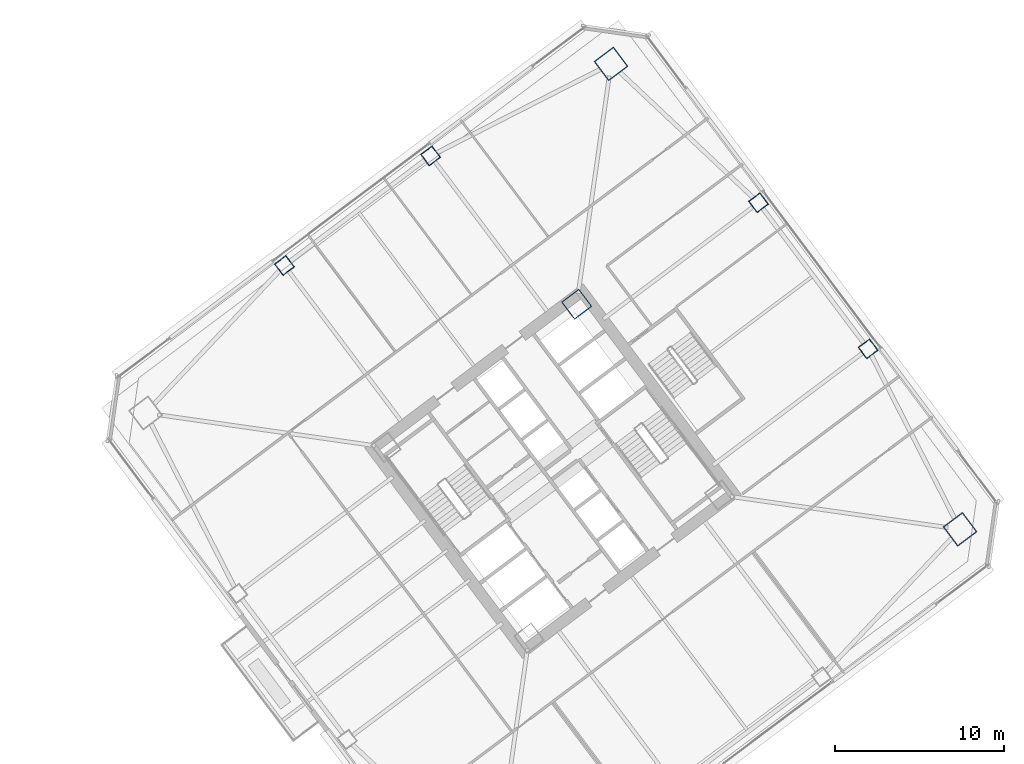
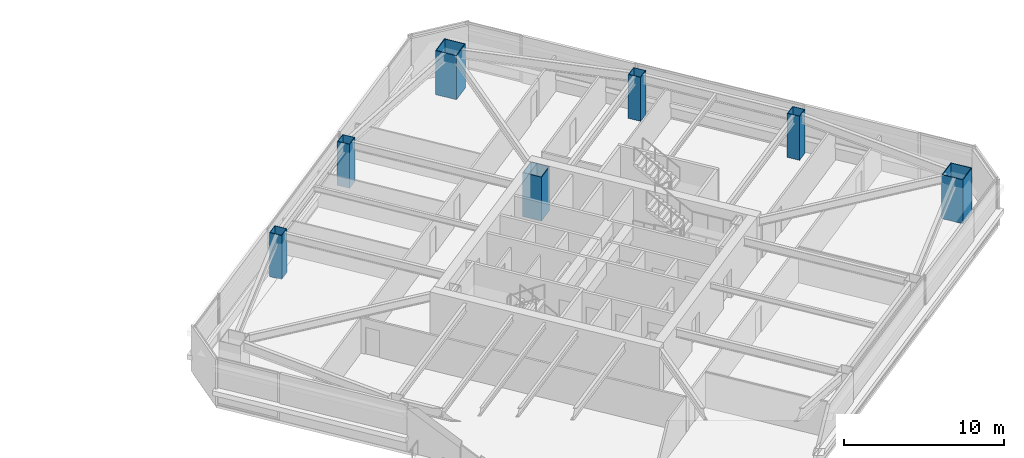
# One storey, part 2 of 44: 7 columns.
"""IFC4 building model written with IfcOpenShell, lengths in metres."""

import ifcopenshell
import ifcopenshell.guid

model = None  # the IFC model being written
_history = None  # IfcOwnerHistory: only IFC2X3 demands one
_inside = {}  # id of a spatial element -> (the spatial element, [elements in it])
_under = {}  # id of a project, library or spatial element -> (it, [spatial elements below it])
_declared = {}  # id of a project -> (the project, [libraries it declares])
_typed = {}  # id of a type object -> (the type object, [elements of that type])
_made_of = {}  # id of a material, layer set ... -> (it, [elements and type objects made of it])


def new_model(schema):
    """Start an empty IFC model of exactly this schema.

    Asked for "IFC4X3", IfcOpenShell would pick the latest addendum, in which some entities
    have other attributes; the version numbers below select the first issue.
    IFC2X3 requires an IfcOwnerHistory on every rooted entity: one is made here for all.
    """
    global model, _history
    if schema == "IFC4X3":
        model = ifcopenshell.file(schema_version=(4, 3, 0, 0))
    else:
        model = ifcopenshell.file(schema=schema)
    _inside.clear()
    _under.clear()
    _declared.clear()
    _typed.clear()
    _made_of.clear()
    _history = None
    if model.schema == "IFC2X3":
        org = make("IfcOrganization", Name="unknown")
        user = make(
            "IfcPersonAndOrganization",
            ThePerson=make("IfcPerson", FamilyName="unknown"),
            TheOrganization=org,
        )
        app = make(
            "IfcApplication",
            ApplicationDeveloper=org,
            Version="unknown",
            ApplicationFullName="unknown",
            ApplicationIdentifier="unknown",
        )
        _history = make(
            "IfcOwnerHistory",
            OwningUser=user,
            OwningApplication=app,
            ChangeAction="ADDED",
            CreationDate=0,
        )
    return model


def make(cls, **values):
    """One entity of the class cls with the attributes given. An attribute that is None is left unset."""
    return model.create_entity(
        cls, **{name: value for name, value in values.items() if value is not None}
    )


def rooted(cls, **values):
    """An entity with a GlobalId (a new one), such as an element, a storey or a relation."""
    return make(cls, GlobalId=ifcopenshell.guid.new(), OwnerHistory=_history, **values)


def si_unit(unit_type, name, prefix=None):
    """IfcSIUnit, for example si_unit("LENGTHUNIT", "METRE", prefix="MILLI")."""
    return make("IfcSIUnit", UnitType=unit_type, Prefix=prefix, Name=name)


def assignment(units):
    """IfcUnitAssignment: the units of a project."""
    return None if units is None else make("IfcUnitAssignment", Units=units)


def point(xyz):
    """IfcCartesianPoint."""
    return None if xyz is None else make("IfcCartesianPoint", Coordinates=xyz)


def direction(xyz):
    """IfcDirection."""
    return None if xyz is None else make("IfcDirection", DirectionRatios=xyz)


def frame(location, z_axis=None, x_axis=None):
    """IfcAxis2Placement3D, a coordinate frame: its origin and axes. An axis left out is left unset."""
    return make(
        "IfcAxis2Placement3D",
        Location=point(location),
        Axis=direction(z_axis),
        RefDirection=direction(x_axis),
    )


def frame_2d(location, x_axis=None):
    """IfcAxis2Placement2D, a coordinate frame in the plane: its origin and x axis."""
    return make(
        "IfcAxis2Placement2D", Location=point(location), RefDirection=direction(x_axis)
    )


def origin():
    """The frame at (0, 0, 0) with its axes left unset."""
    return frame((0.0, 0.0, 0.0))


def origin_2d():
    """The frame at (0, 0) in the plane with its x axis left unset."""
    return frame_2d((0.0, 0.0))


def place(relative_to, where):
    """IfcLocalPlacement: puts the frame where relative to a parent placement (None: the world)."""
    return make(
        "IfcLocalPlacement", PlacementRelTo=relative_to, RelativePlacement=where
    )


def context(
    kind, dimensions, precision=None, world=None, true_north=None, identifier=None
):
    """IfcGeometricRepresentationContext, for example the 3D "Model" context."""
    return make(
        "IfcGeometricRepresentationContext",
        ContextIdentifier=identifier,
        ContextType=kind,
        CoordinateSpaceDimension=dimensions,
        Precision=precision,
        WorldCoordinateSystem=world,
        TrueNorth=true_north,
    )


def subcontext(parent, identifier, kind, view, scale=None):
    """IfcGeometricRepresentationSubContext, for example "Body" below "Model"."""
    return make(
        "IfcGeometricRepresentationSubContext",
        ContextIdentifier=identifier,
        ContextType=kind,
        ParentContext=parent,
        TargetScale=scale,
        TargetView=view,
    )


def project(units=None, contexts=None):
    """IfcProject with its units and contexts."""
    return rooted(
        "IfcProject",
        Name="project",
        RepresentationContexts=contexts,
        UnitsInContext=assignment(units),
    )


def spatial(cls, under=None, at=None, **own):
    """A site, building, storey or space (cls), placed at a placement, below another one or the project."""
    s = rooted(cls, ObjectPlacement=at, **own)
    if under is not None:
        _under.setdefault(under.id(), (under, []))[1].append(s)
    return s


def profile(cls, at=None, kind="AREA", **sizes):
    """A parametric profile (cls). Its sizes go by their IFC names, for example OverallWidth=200.0."""
    return make(cls, ProfileType=kind, Position=at, **sizes)


def hollow_rectangle(**sizes):
    """IfcRectangleHollowProfileDef."""
    return profile("IfcRectangleHollowProfileDef", **sizes)


def extrude(swept, where, along, depth):
    """IfcExtrudedAreaSolid: the profile swept, set in the frame where, extruded along a direction by depth."""
    return make(
        "IfcExtrudedAreaSolid",
        SweptArea=swept,
        Position=where,
        ExtrudedDirection=direction(along),
        Depth=depth,
    )


def shape(context_of_items, identifier, shape_type, items):
    """IfcShapeRepresentation: the items that make up one representation, for example the "Body"."""
    return make(
        "IfcShapeRepresentation",
        ContextOfItems=context_of_items,
        RepresentationIdentifier=identifier,
        RepresentationType=shape_type,
        Items=items,
    )


def material(Name=None, Category=None):
    """IfcMaterial."""
    return make("IfcMaterial", Name=Name, Category=Category)


def material_profile(
    of_material, cross_section, Name=None, Category=None, Priority=None
):
    """IfcMaterialProfile: a cross section and its material."""
    return make(
        "IfcMaterialProfile",
        Name=Name,
        Material=of_material,
        Profile=cross_section,
        Priority=Priority,
        Category=Category,
    )


def profile_set(profiles, Name=None, composite=None):
    """IfcMaterialProfileSet."""
    return make(
        "IfcMaterialProfileSet",
        Name=Name,
        MaterialProfiles=profiles,
        CompositeProfile=composite,
    )


def made_of(thing, what):
    """Note that an element or type object is made of a material, layer set ...; save() writes the relation."""
    if what is not None:
        _made_of.setdefault(what.id(), (what, []))[1].append(thing)
    return thing


def type_object(cls, material=None, **own):
    """A type object (cls), such as IfcWallType, which elements share."""
    return made_of(rooted(cls, **own), material)


def element(
    cls,
    number,
    at=None,
    inside=None,
    cuts=None,
    type_object=None,
    material=None,
    context=None,
    identifier="Body",
    shape_type=None,
    held_by="IfcProductDefinitionShape",
    body=None,
    shapes=None,
    **own,
):
    """One element of the class cls, such as IfcWall. Its Tag is "e" and its number.

    at: its placement. inside: the storey or other place that contains it. cuts: it is an
    opening in that element (IfcRelVoidsElement). A single representation is given by context,
    identifier, shape_type and body (its items); several are given by shapes. held_by: the class
    of the entity that holds the representations. save() writes the other relations.
    """
    e = rooted(cls, Tag="e%d" % number, ObjectPlacement=at, **own)
    if body is not None:
        shapes = [shape(context, identifier, shape_type, body)]
    if shapes is not None:
        e.Representation = make(held_by, Representations=shapes)
    if inside is not None:
        _inside.setdefault(inside.id(), (inside, []))[1].append(e)
    if cuts is not None:
        rooted(
            "IfcRelVoidsElement", RelatingBuildingElement=cuts, RelatedOpeningElement=e
        )
    if type_object is not None:
        _typed.setdefault(type_object.id(), (type_object, []))[1].append(e)
    return made_of(e, material)


def aggregate(whole, parts):
    """IfcRelAggregates: a whole, such as a stair, and the parts it consists of."""
    return rooted("IfcRelAggregates", RelatingObject=whole, RelatedObjects=parts)


def save(model, path):
    """Write the relations noted so far, then the file.

    IfcRelAggregates (storeys below a building ...), IfcRelContainedInSpatialStructure (elements
    in a storey), IfcRelDefinesByType, IfcRelAssociatesMaterial and IfcRelDeclares: one each for
    every whole, place, type object, material and project.
    """
    for whole, parts in _under.values():
        aggregate(whole, parts)
    for where, things in _inside.values():
        rooted(
            "IfcRelContainedInSpatialStructure",
            RelatedElements=things,
            RelatingStructure=where,
        )
    for kind, things in _typed.values():
        rooted("IfcRelDefinesByType", RelatedObjects=things, RelatingType=kind)
    for what, things in _made_of.values():
        rooted("IfcRelAssociatesMaterial", RelatedObjects=things, RelatingMaterial=what)
    for by, libraries in _declared.values():
        rooted("IfcRelDeclares", RelatingContext=by, RelatedDefinitions=libraries)
    model.write(path)


model = new_model("IFC4")

# Units and contexts
model_context = context("Model", 3, precision=1e-05, world=origin(), true_north=direction((0.0, 1.0)))
body_context = subcontext(model_context, "Body", "Model", "MODEL_VIEW")
ifc_project = project(units=[si_unit("LENGTHUNIT", "METRE"), si_unit("AREAUNIT", "SQUARE_METRE"), si_unit("VOLUMEUNIT", "CUBIC_METRE"), si_unit("PLANEANGLEUNIT", "RADIAN"), si_unit("MASSUNIT", "GRAM", prefix="KILO")], contexts=[model_context])

# Site, building, storey
site_placement = place(None, origin())
site = spatial("IfcSite", under=ifc_project, at=site_placement, CompositionType="ELEMENT")
building_placement = place(site_placement, origin())
building = spatial("IfcBuilding", under=site, at=building_placement, Name="Tashvorn Skyway Center", CompositionType="ELEMENT")
storey_placement = place(building_placement, frame((0.0, 0.0, 84.949951171875)))
storey = spatial("IfcBuildingStorey", under=building, at=storey_placement, Name="L22", CompositionType="ELEMENT", Elevation=84.949951171875)

# Columns
ifc_material = material(Name="Steel ASTM A572 Grade 50", Category="steel")
ifc_material_profile_1 = material_profile(ifc_material, hollow_rectangle(XDim=1.300048828125, YDim=1.300048828125, WallThickness=0.050048828125, at=origin_2d()), Name="BOX1300x1300x50")
ifc_profile_set_1 = profile_set([ifc_material_profile_1], Name="Steel ASTM A572 Grade 50")
column_type_1 = type_object("IfcColumnType", Name="COL-BOX1300x1300x50", PredefinedType="COLUMN", material=ifc_profile_set_1)
column_placement = place(storey_placement, frame((115.409912109375, 41.8701171875, 0.0), z_axis=(0.0, 0.0, 1.0), x_axis=(0.799999996291, 0.600000004945, 0.0)))
element("IfcColumn", 1, at=column_placement, inside=storey, type_object=column_type_1, Name="Tower 2 L22 Core Corner Column CC-NE", PredefinedType="COLUMN", context=body_context, shape_type="SweptSolid", body=[
    extrude(hollow_rectangle(XDim=1.300048828125, YDim=1.300048828125, WallThickness=0.050048828125, at=origin_2d()), origin(), (0.0, 0.0, 1.0), 3.35009765625),
])
ifc_material_profile_2 = material_profile(ifc_material, hollow_rectangle(XDim=1.449951171875, YDim=1.449951171875, WallThickness=0.054931640625, at=origin_2d()), Name="BOX1450x1450x55")
ifc_profile_set_2 = profile_set([ifc_material_profile_2], Name="Steel ASTM A572 Grade 50")
column_type_2 = type_object("IfcColumnType", Name="COL-BOX1450x1450x55", PredefinedType="COLUMN", material=ifc_profile_set_2)
for number, where, z_axis, x_axis, name in (
    (2, (138.080078125, 28.56005859375, 0.0), (0.0, 0.0, 1.0), (0.799999996291, 0.600000004945, 0.0), "Tower 2 L22 Mega-Column MC-SE"),
    (3, (117.43994140625, 56.080078125, 0.0), (0.0, 0.0, 1.0), (0.799999996291, 0.600000004945, 0.0), "Tower 2 L22 Mega-Column MC-NE"),
):
    element("IfcColumn", number, at=place(storey_placement, frame(where, z_axis=z_axis, x_axis=x_axis)), inside=storey, type_object=column_type_2, Name=name, PredefinedType="COLUMN", context=body_context, shape_type="SweptSolid", body=[
        extrude(hollow_rectangle(XDim=1.449951171875, YDim=1.449951171875, WallThickness=0.054931640625, at=origin_2d()), origin(), (0.0, 0.0, 1.0), 3.35009765625),
    ])
ifc_material_profile_3 = material_profile(ifc_material, hollow_rectangle(XDim=0.85009765625, YDim=0.85009765625, WallThickness=0.034912109375, at=origin_2d()), Name="BOX850x850x35")
ifc_profile_set_3 = profile_set([ifc_material_profile_3], Name="Steel ASTM A572 Grade 50")
column_type_3 = type_object("IfcColumnType", Name="COL-BOX850x850x35", PredefinedType="COLUMN", material=ifc_profile_set_3)
for number, where, z_axis, x_axis, name in (
    (4, (132.639892578125, 39.22998046875, 0.0), (0.0, 0.0, 1.0), (0.799999996291, 0.600000004945, 0.0), "Tower 2 L22 Perimeter Column FC-E1"),
    (5, (126.159912109375, 47.8701171875, 0.0), (0.0, 0.0, 1.0), (0.799999996291, 0.600000004945, 0.0), "Tower 2 L22 Perimeter Column FC-E2"),
    (6, (106.77001953125, 50.639892578125, 0.0), (0.0, 0.0, 1.0), (0.799999996291, 0.600000004945, 0.0), "Tower 2 L22 Perimeter Column FC-N1"),
    (7, (98.1298828125, 44.159912109375, 0.0), (0.0, 0.0, 1.0), (0.799999996291, 0.600000004945, 0.0), "Tower 2 L22 Perimeter Column FC-N2"),
):
    element("IfcColumn", number, at=place(storey_placement, frame(where, z_axis=z_axis, x_axis=x_axis)), inside=storey, type_object=column_type_3, Name=name, PredefinedType="COLUMN", context=body_context, shape_type="SweptSolid", body=[
        extrude(hollow_rectangle(XDim=0.85009765625, YDim=0.85009765625, WallThickness=0.034912109375, at=origin_2d()), origin(), (0.0, 0.0, 1.0), 3.35009765625),
    ])

save(model, "model.ifc")
